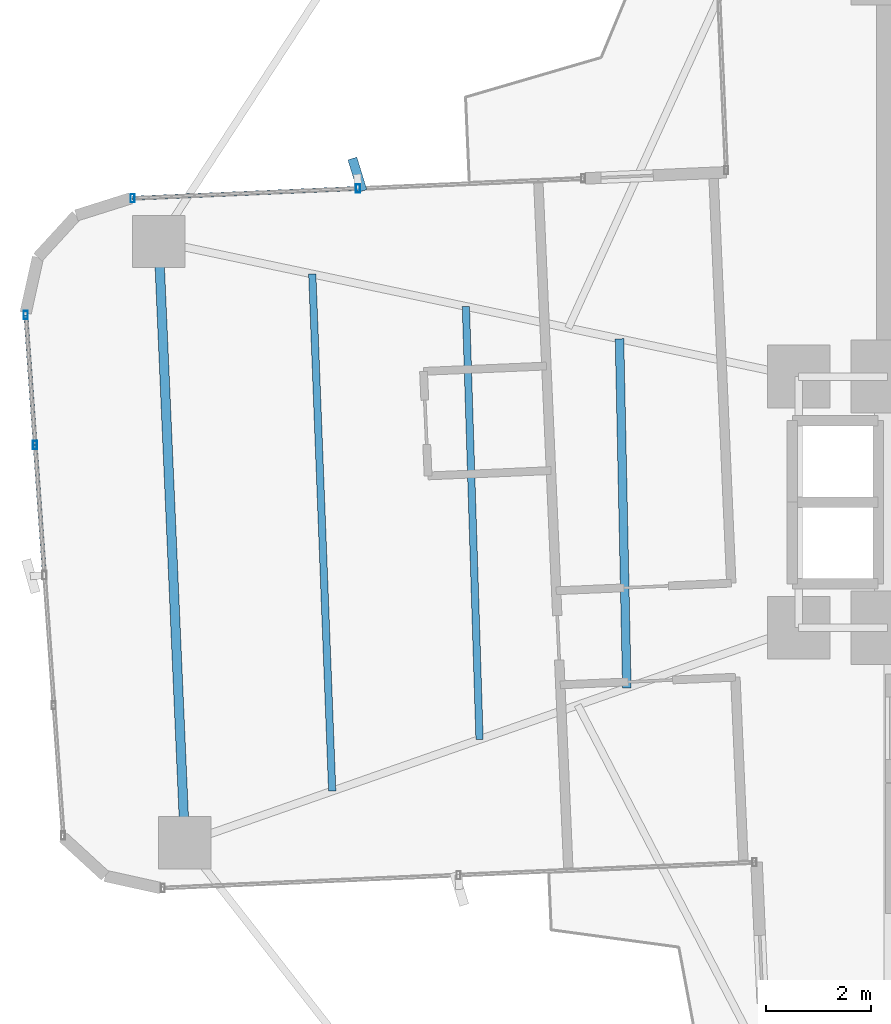
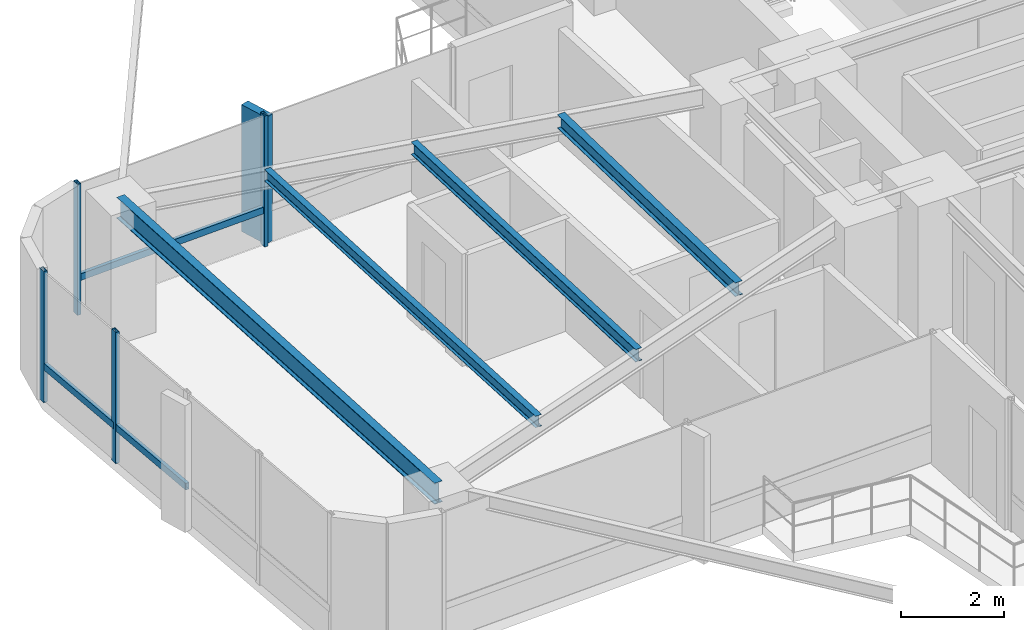
# One storey, part 9 of 26: 8 members, 4 beams, 2 elements without a shape of their own.
"""IFC4 building model written with IfcOpenShell, lengths in metres."""

from ifc_helpers import new_model, si_unit, direction, frame, origin, origin_2d, place, context, subcontext, project, spatial, rectangle, hollow_rectangle, i_section, extrude, source, transform, mapped, material, material_profile, profile_set, type_object, element, aggregate, save


model = new_model("IFC4")

# Units and contexts
model_context = context("Model", 3, precision=1e-05, world=origin(), true_north=direction((0.0, 1.0)))
body_context = subcontext(model_context, "Body", "Model", "MODEL_VIEW")
ifc_project = project(units=[si_unit("LENGTHUNIT", "METRE"), si_unit("AREAUNIT", "SQUARE_METRE"), si_unit("VOLUMEUNIT", "CUBIC_METRE"), si_unit("PLANEANGLEUNIT", "RADIAN"), si_unit("MASSUNIT", "GRAM", prefix="KILO")], contexts=[model_context])

# Site, building, storey
site_placement = place(None, origin())
site = spatial("IfcSite", under=ifc_project, at=site_placement, CompositionType="ELEMENT")
building_placement = place(site_placement, origin())
building = spatial("IfcBuilding", under=site, at=building_placement, Name="Sahyath Konkavel Grand Hotel", CompositionType="ELEMENT")
storey_placement = place(building_placement, frame((0.0, 0.0, 128.199951171875)))
storey = spatial("IfcBuildingStorey", under=building, at=storey_placement, Name="L35", CompositionType="ELEMENT", Elevation=128.199951171875)

# Beams
ifc_material_1 = material(Name="Steel E350", Category="steel")
ifc_material_profile_1 = material_profile(ifc_material_1, i_section(OverallWidth=0.179931640625, OverallDepth=0.5, WebThickness=0.01025390625, FlangeThickness=0.01708984375, FilletRadius=0.01708984375, at=origin_2d()), Name="ISMB 500")
ifc_profile_set_1 = profile_set([ifc_material_profile_1], Name="Steel E350")
beam_type_1 = type_object("IfcBeamType", Name="BM-ISMB500", PredefinedType="BEAM", material=ifc_profile_set_1)
shared_shape_1 = source(origin(), body_context, "Body", "SweptSolid", [
    extrude(i_section(OverallWidth=0.179931640625, OverallDepth=0.5, WebThickness=0.01025390625, FlangeThickness=0.01708984375, FilletRadius=0.01708984375, at=origin_2d()), origin(), (0.0, 0.0, 1.0), 11.5),
])
beam_1_placement = place(storey_placement, frame((-17.734130859375, 4.981201171875, 2.860107421875), z_axis=(0.043627008892, -0.99904788879, 0.0), x_axis=(0.99904788879, 0.043627008892, 0.0)))
element("IfcBeam", 1, at=beam_1_placement, inside=storey, type_object=beam_type_1, Name="L35 Wing Tip Edge Beam W", PredefinedType="BEAM", context=body_context, shape_type="MappedRepresentation", body=[
    mapped(shared_shape_1, transform((0.0, 0.0, 0.0), scale=1.0)),
])
ifc_material_profile_2 = material_profile(ifc_material_1, i_section(OverallWidth=0.1650390625, OverallDepth=0.324951171875, WebThickness=0.007080078125, FlangeThickness=0.009765625, FilletRadius=0.014892578125, at=origin_2d()), Name="ISLB 325")
ifc_profile_set_2 = profile_set([ifc_material_profile_2], Name="Steel E350")
beam_type_2 = type_object("IfcBeamType", Name="BM-ISLB325", PredefinedType="BEAM", material=ifc_profile_set_2)
shared_shape_2 = source(origin(), body_context, "Body", "SweptSolid", [
    extrude(i_section(OverallWidth=0.1650390625, OverallDepth=0.324951171875, WebThickness=0.007080078125, FlangeThickness=0.009765625, FilletRadius=0.014892578125, at=origin_2d()), origin(), (0.0, 0.0, 1.0), 6.674560546875),
])
beam_2_placement = place(storey_placement, frame((-8.925537109375, 3.122802734375, 2.947509765625), z_axis=(0.021032188543, -0.999778799058, 0.0), x_axis=(0.999778799058, 0.021032188543, 0.0)))
element("IfcBeam", 2, at=beam_2_placement, inside=storey, type_object=beam_type_2, Name="L35 Secondary Floor Beam W-1", PredefinedType="BEAM", context=body_context, shape_type="MappedRepresentation", body=[
    mapped(shared_shape_2, transform((0.0, 0.0, 0.0), scale=1.0)),
])
ifc_material_profile_3 = material_profile(ifc_material_1, i_section(OverallWidth=0.139892578125, OverallDepth=0.300048828125, WebThickness=0.0078125, FlangeThickness=0.01318359375, FilletRadius=0.013916015625, at=origin_2d()), Name="ISMB 300")
ifc_profile_set_3 = profile_set([ifc_material_profile_3], Name="Steel E350")
beam_type_3 = type_object("IfcBeamType", Name="BM-ISMB300", PredefinedType="BEAM", material=ifc_profile_set_3)
shared_shape_3 = source(origin(), body_context, "Body", "SweptSolid", [
    extrude(i_section(OverallWidth=0.139892578125, OverallDepth=0.300048828125, WebThickness=0.0078125, FlangeThickness=0.01318359375, FilletRadius=0.013916015625, at=origin_2d()), origin(), (0.0, 0.0, 1.0), 8.282470703125),
])
beam_3_placement = place(storey_placement, frame((-11.86181640625, 3.7421875, 2.9599609375), z_axis=(0.031510827707, -0.999503410568, 0.0), x_axis=(0.999503410568, 0.031510827707, 0.0)))
element("IfcBeam", 3, at=beam_3_placement, inside=storey, type_object=beam_type_3, Name="L35 Secondary Floor Beam W-2", PredefinedType="BEAM", context=body_context, shape_type="MappedRepresentation", body=[
    mapped(shared_shape_3, transform((0.0, 0.0, 0.0), scale=1.0)),
])
ifc_material_profile_4 = material_profile(ifc_material_1, i_section(OverallWidth=0.139892578125, OverallDepth=0.27490234375, WebThickness=0.00634765625, FlangeThickness=0.0087890625, FilletRadius=0.012939453125, at=origin_2d()), Name="ISLB 275")
ifc_profile_set_4 = profile_set([ifc_material_profile_4], Name="Steel E350")
beam_type_4 = type_object("IfcBeamType", Name="BM-ISLB275", PredefinedType="BEAM", material=ifc_profile_set_4)
shared_shape_4 = source(origin(), body_context, "Body", "SweptSolid", [
    extrude(i_section(OverallWidth=0.139892578125, OverallDepth=0.27490234375, WebThickness=0.00634765625, FlangeThickness=0.0087890625, FilletRadius=0.012939453125, at=origin_2d()), origin(), (0.0, 0.0, 1.0), 9.89111328125),
])
beam_4_placement = place(storey_placement, frame((-14.798095703125, 4.36181640625, 2.97265625), z_axis=(0.03855445741, -0.999256500511, 0.0), x_axis=(0.999256500511, 0.03855445741, 0.0)))
element("IfcBeam", 4, at=beam_4_placement, inside=storey, type_object=beam_type_4, Name="L35 Secondary Floor Beam W-3", PredefinedType="BEAM", context=body_context, shape_type="MappedRepresentation", body=[
    mapped(shared_shape_4, transform((0.0, 0.0, 0.0), scale=1.0)),
])

# Curtain wall, members
ifc_material_2 = material(Name="Anodised Bronze Aluminium & Low-E Glazing", Category="aluminium")
curtain_wall_type = type_object("IfcCurtainWallType", Name="CW-ZONE2", PredefinedType="NOTDEFINED", material=ifc_material_2)
curtain_wall_1_placement = place(storey_placement, origin())
curtain_wall_1 = element("IfcCurtainWall", 5, at=curtain_wall_1_placement, inside=storey, type_object=curtain_wall_type, Name="L35 Unitised Curtain Wall F16", PredefinedType="NOTDEFINED")
ifc_material_3 = material(Name="Warm Buff Sandstone Cladding on Concrete C50/60", Category="masonry")
ifc_material_profile_5 = material_profile(ifc_material_3, rectangle(XDim=0.179931640625, YDim=0.64990234375, at=origin_2d()), Name="FIN 180x650")
ifc_profile_set_5 = profile_set([ifc_material_profile_5], Name="Warm Buff Sandstone Cladding on Concrete C50/60")
member_type_1 = type_object("IfcMemberType", Name="FIN-SANDSTONE-650", PredefinedType="MULLION", material=ifc_profile_set_5)
shared_shape_5 = source(origin(), body_context, "Body", "SweptSolid", [
    extrude(rectangle(XDim=0.179931640625, YDim=0.64990234375, at=origin_2d()), origin(), (0.0, 0.0, 1.0), 3.010009765625),
])
member_1_placement = place(storey_placement, frame((-13.936279296875, 6.258056640625, 0.050048828125), z_axis=(0.0, 0.0, 1.0), x_axis=(0.955690317134, 0.294373942013, 0.0)))
member_1 = element("IfcMember", 6, at=member_1_placement, type_object=member_type_1, Name="L35 Sandstone Vertical Solar Fin FIN F16-1", PredefinedType="MULLION", context=body_context, shape_type="MappedRepresentation", body=[
    mapped(shared_shape_5, transform((0.0, 0.0, 0.0), scale=1.0)),
])
ifc_material_4 = material(Name="Anodised Bronze Aluminium", Category="aluminium")
ifc_material_profile_6 = material_profile(ifc_material_4, hollow_rectangle(XDim=0.080078125, YDim=0.159912109375, WallThickness=0.006103515625, at=origin_2d()), Name="RHS 160x80x6")
ifc_profile_set_6 = profile_set([ifc_material_profile_6], Name="Anodised Bronze Aluminium")
member_type_2 = type_object("IfcMemberType", Name="CW-MUL-160", PredefinedType="MULLION", material=ifc_profile_set_6)
shared_shape_6 = source(origin(), body_context, "Body", "SweptSolid", [
    extrude(hollow_rectangle(XDim=0.080078125, YDim=0.159912109375, WallThickness=0.006103515625, at=origin_2d()), origin(), (0.0, 0.0, 1.0), 3.110107421875),
])
member_2_placement = place(storey_placement, frame((-13.9248046875, 5.998291015625, 0.0), z_axis=(0.0, 0.0, 1.0), x_axis=(1.0, 0.0, 0.0)))
member_2 = element("IfcMember", 7, at=member_2_placement, type_object=member_type_2, Name="L35 Curtain Wall Mullion F16-1", PredefinedType="MULLION", context=body_context, shape_type="MappedRepresentation", body=[
    mapped(shared_shape_6, transform((0.0, 0.0, 0.0), scale=1.0)),
])
member_3_placement = place(storey_placement, frame((-18.230712890625, 5.810302734375, 0.0), z_axis=(0.0, 0.0, 1.0), x_axis=(1.0, 0.0, 0.0)))
member_3 = element("IfcMember", 8, at=member_3_placement, type_object=member_type_2, Name="L35 Curtain Wall Mullion F16-2", PredefinedType="MULLION", context=body_context, shape_type="MappedRepresentation", body=[
    mapped(shared_shape_6, transform((0.0, 0.0, 0.0), scale=1.0)),
])

curtain_wall_2_placement = place(storey_placement, origin())
curtain_wall_2 = element("IfcCurtainWall", 9, at=curtain_wall_2_placement, inside=storey, type_object=curtain_wall_type, Name="L35 Unitised Curtain Wall F20", PredefinedType="NOTDEFINED")
member_4_placement = place(storey_placement, frame((-20.2744140625, 3.5791015625, 0.0), z_axis=(0.0, 0.0, 1.0), x_axis=(1.0, 0.0, 0.0)))
member_4 = element("IfcMember", 10, at=member_4_placement, type_object=member_type_2, Name="L35 Curtain Wall Mullion F20-0", PredefinedType="MULLION", context=body_context, shape_type="MappedRepresentation", body=[
    mapped(shared_shape_6, transform((0.0, 0.0, 0.0), scale=1.0)),
])
member_5_placement = place(storey_placement, frame((-20.095947265625, 1.092041015625, 0.0), z_axis=(0.0, 0.0, 1.0), x_axis=(1.0, 0.0, 0.0)))
member_5 = element("IfcMember", 11, at=member_5_placement, type_object=member_type_2, Name="L35 Curtain Wall Mullion F20-1", PredefinedType="MULLION", context=body_context, shape_type="MappedRepresentation", body=[
    mapped(shared_shape_6, transform((0.0, 0.0, 0.0), scale=1.0)),
])

# Member
ifc_material_profile_7 = material_profile(ifc_material_4, hollow_rectangle(XDim=0.080078125, YDim=0.159912109375, WallThickness=0.006103515625, at=origin_2d()), Name="RHS 160x80x6")
ifc_profile_set_7 = profile_set([ifc_material_profile_7], Name="Anodised Bronze Aluminium")
member_type_3 = type_object("IfcMemberType", Name="CW-TRN-160", PredefinedType="USERDEFINED", material=ifc_profile_set_7)
shared_shape_7 = source(origin(), body_context, "Body", "SweptSolid", [
    extrude(hollow_rectangle(XDim=0.080078125, YDim=0.159912109375, WallThickness=0.006103515625, at=origin_2d()), origin(), (0.0, 0.0, 1.0), 4.31005859375),
])
member_6_placement = place(storey_placement, frame((-13.9248046875, 5.998291015625, 0.85009765625), z_axis=(-0.999048340188, -0.043616670746, 0.0), x_axis=(0.043616670746, -0.999048340188, 0.0)))
member_6 = element("IfcMember", 12, at=member_6_placement, type_object=member_type_3, Name="L35 Curtain Wall Transom F16-1-spandrel", ObjectType="TRANSOM", PredefinedType="USERDEFINED", context=body_context, shape_type="MappedRepresentation", body=[
    mapped(shared_shape_7, transform((0.0, 0.0, 0.0), scale=1.0)),
])

aggregate(curtain_wall_1, [member_2, member_1, member_3, member_6])

shared_shape_8 = source(origin(), body_context, "Body", "SweptSolid", [
    extrude(hollow_rectangle(XDim=0.080078125, YDim=0.159912109375, WallThickness=0.006103515625, at=origin_2d()), origin(), (0.0, 0.0, 1.0), 2.493408203125),
])
member_7_placement = place(storey_placement, frame((-20.2744140625, 3.5791015625, 0.85009765625), z_axis=(0.071574084062, -0.997435286367, 0.0), x_axis=(0.997435286367, 0.071574084062, 0.0)))
member_7 = element("IfcMember", 13, at=member_7_placement, type_object=member_type_3, Name="L35 Curtain Wall Transom F20-0-spandrel", ObjectType="TRANSOM", PredefinedType="USERDEFINED", context=body_context, shape_type="MappedRepresentation", body=[
    mapped(shared_shape_8, transform((0.0, 0.0, 0.0), scale=1.0)),
])

member_8_placement = place(storey_placement, frame((-20.095947265625, 1.092041015625, 0.85009765625), z_axis=(0.071574084062, -0.997435286367, 0.0), x_axis=(0.997435286367, 0.071574084062, 0.0)))
member_8 = element("IfcMember", 14, at=member_8_placement, type_object=member_type_3, Name="L35 Curtain Wall Transom F20-1-spandrel", ObjectType="TRANSOM", PredefinedType="USERDEFINED", context=body_context, shape_type="MappedRepresentation", body=[
    mapped(shared_shape_8, transform((0.0, 0.0, 0.0), scale=1.0)),
])

aggregate(curtain_wall_2, [member_4, member_5, member_7, member_8])

save(model, "model.ifc")
